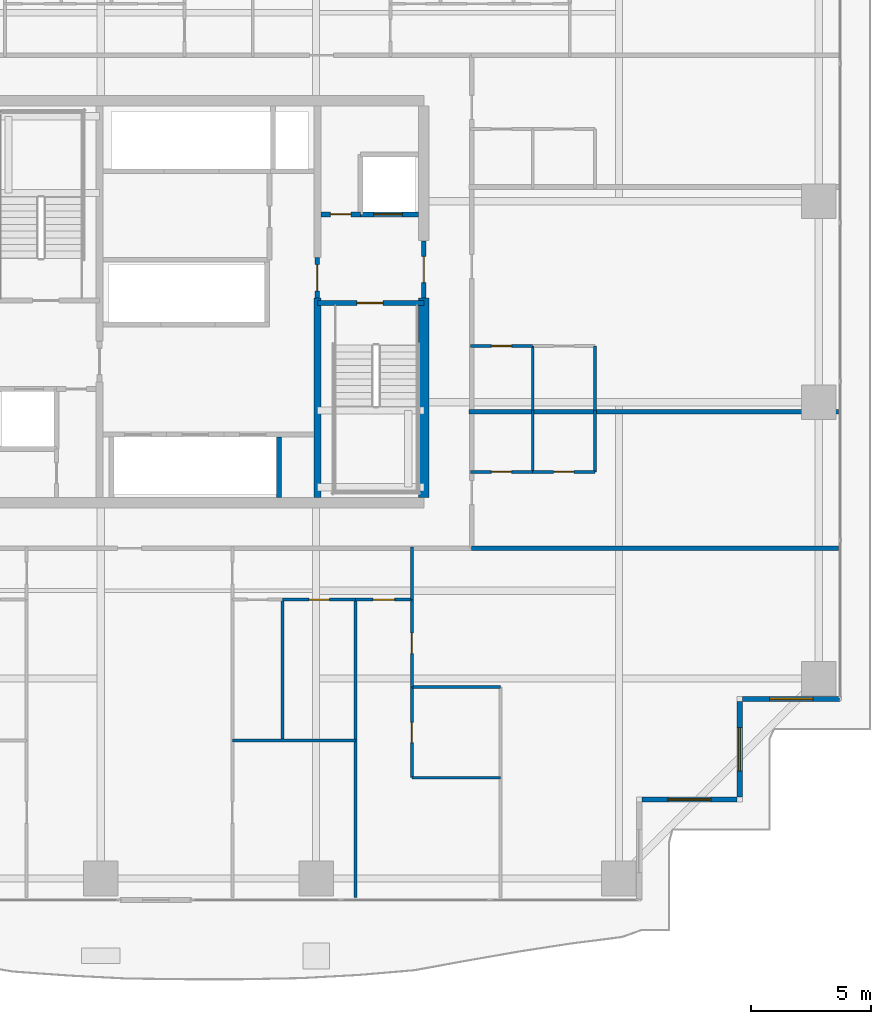
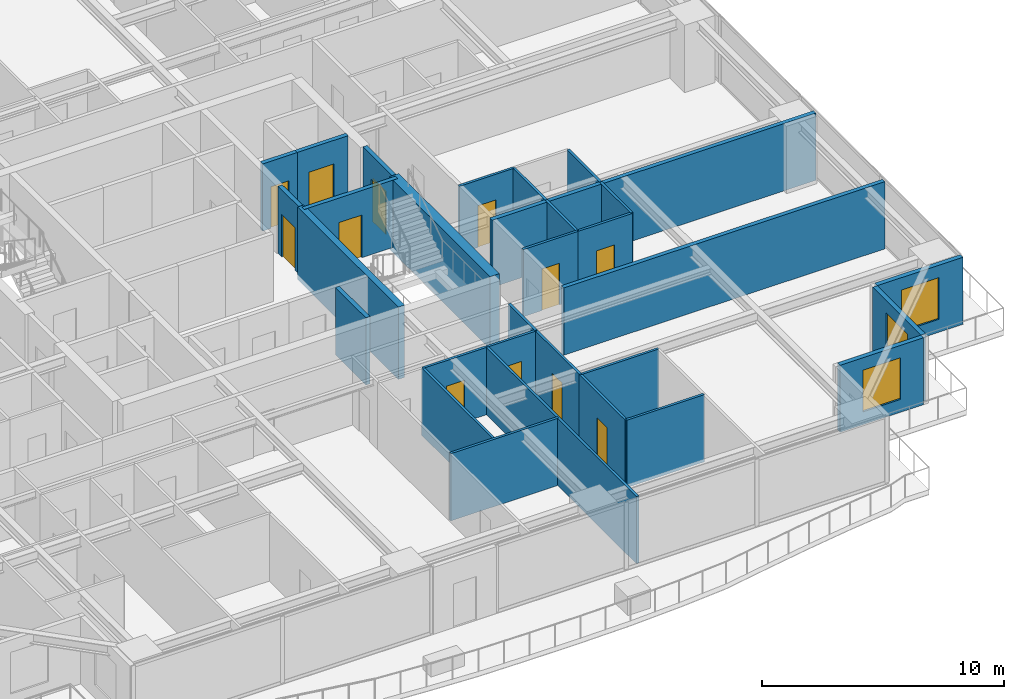
# One storey, part 29 of 40: 30 walls, 12 doors, 3 windows, 15 openings.
"""IFC4 building model written with IfcOpenShell, lengths in metres."""

import ifcopenshell
import ifcopenshell.guid

model = None  # the IFC model being written
_history = None  # IfcOwnerHistory: only IFC2X3 demands one
_inside = {}  # id of a spatial element -> (the spatial element, [elements in it])
_under = {}  # id of a project, library or spatial element -> (it, [spatial elements below it])
_declared = {}  # id of a project -> (the project, [libraries it declares])
_typed = {}  # id of a type object -> (the type object, [elements of that type])
_made_of = {}  # id of a material, layer set ... -> (it, [elements and type objects made of it])


def new_model(schema):
    """Start an empty IFC model of exactly this schema.

    Asked for "IFC4X3", IfcOpenShell would pick the latest addendum, in which some entities
    have other attributes; the version numbers below select the first issue.
    IFC2X3 requires an IfcOwnerHistory on every rooted entity: one is made here for all.
    """
    global model, _history
    if schema == "IFC4X3":
        model = ifcopenshell.file(schema_version=(4, 3, 0, 0))
    else:
        model = ifcopenshell.file(schema=schema)
    _inside.clear()
    _under.clear()
    _declared.clear()
    _typed.clear()
    _made_of.clear()
    _history = None
    if model.schema == "IFC2X3":
        org = make("IfcOrganization", Name="unknown")
        user = make(
            "IfcPersonAndOrganization",
            ThePerson=make("IfcPerson", FamilyName="unknown"),
            TheOrganization=org,
        )
        app = make(
            "IfcApplication",
            ApplicationDeveloper=org,
            Version="unknown",
            ApplicationFullName="unknown",
            ApplicationIdentifier="unknown",
        )
        _history = make(
            "IfcOwnerHistory",
            OwningUser=user,
            OwningApplication=app,
            ChangeAction="ADDED",
            CreationDate=0,
        )
    return model


def make(cls, **values):
    """One entity of the class cls with the attributes given. An attribute that is None is left unset."""
    return model.create_entity(
        cls, **{name: value for name, value in values.items() if value is not None}
    )


def rooted(cls, **values):
    """An entity with a GlobalId (a new one), such as an element, a storey or a relation."""
    return make(cls, GlobalId=ifcopenshell.guid.new(), OwnerHistory=_history, **values)


def si_unit(unit_type, name, prefix=None):
    """IfcSIUnit, for example si_unit("LENGTHUNIT", "METRE", prefix="MILLI")."""
    return make("IfcSIUnit", UnitType=unit_type, Prefix=prefix, Name=name)


def assignment(units):
    """IfcUnitAssignment: the units of a project."""
    return None if units is None else make("IfcUnitAssignment", Units=units)


def point(xyz):
    """IfcCartesianPoint."""
    return None if xyz is None else make("IfcCartesianPoint", Coordinates=xyz)


def direction(xyz):
    """IfcDirection."""
    return None if xyz is None else make("IfcDirection", DirectionRatios=xyz)


def frame(location, z_axis=None, x_axis=None):
    """IfcAxis2Placement3D, a coordinate frame: its origin and axes. An axis left out is left unset."""
    return make(
        "IfcAxis2Placement3D",
        Location=point(location),
        Axis=direction(z_axis),
        RefDirection=direction(x_axis),
    )


def frame_2d(location, x_axis=None):
    """IfcAxis2Placement2D, a coordinate frame in the plane: its origin and x axis."""
    return make(
        "IfcAxis2Placement2D", Location=point(location), RefDirection=direction(x_axis)
    )


def origin():
    """The frame at (0, 0, 0) with its axes left unset."""
    return frame((0.0, 0.0, 0.0))


def place(relative_to, where):
    """IfcLocalPlacement: puts the frame where relative to a parent placement (None: the world)."""
    return make(
        "IfcLocalPlacement", PlacementRelTo=relative_to, RelativePlacement=where
    )


def context(
    kind, dimensions, precision=None, world=None, true_north=None, identifier=None
):
    """IfcGeometricRepresentationContext, for example the 3D "Model" context."""
    return make(
        "IfcGeometricRepresentationContext",
        ContextIdentifier=identifier,
        ContextType=kind,
        CoordinateSpaceDimension=dimensions,
        Precision=precision,
        WorldCoordinateSystem=world,
        TrueNorth=true_north,
    )


def subcontext(parent, identifier, kind, view, scale=None):
    """IfcGeometricRepresentationSubContext, for example "Body" below "Model"."""
    return make(
        "IfcGeometricRepresentationSubContext",
        ContextIdentifier=identifier,
        ContextType=kind,
        ParentContext=parent,
        TargetScale=scale,
        TargetView=view,
    )


def project(units=None, contexts=None):
    """IfcProject with its units and contexts."""
    return rooted(
        "IfcProject",
        Name="project",
        RepresentationContexts=contexts,
        UnitsInContext=assignment(units),
    )


def spatial(cls, under=None, at=None, **own):
    """A site, building, storey or space (cls), placed at a placement, below another one or the project."""
    s = rooted(cls, ObjectPlacement=at, **own)
    if under is not None:
        _under.setdefault(under.id(), (under, []))[1].append(s)
    return s


def profile(cls, at=None, kind="AREA", **sizes):
    """A parametric profile (cls). Its sizes go by their IFC names, for example OverallWidth=200.0."""
    return make(cls, ProfileType=kind, Position=at, **sizes)


def rectangle(**sizes):
    """IfcRectangleProfileDef."""
    return profile("IfcRectangleProfileDef", **sizes)


def extrude(swept, where, along, depth):
    """IfcExtrudedAreaSolid: the profile swept, set in the frame where, extruded along a direction by depth."""
    return make(
        "IfcExtrudedAreaSolid",
        SweptArea=swept,
        Position=where,
        ExtrudedDirection=direction(along),
        Depth=depth,
    )


def shape(context_of_items, identifier, shape_type, items):
    """IfcShapeRepresentation: the items that make up one representation, for example the "Body"."""
    return make(
        "IfcShapeRepresentation",
        ContextOfItems=context_of_items,
        RepresentationIdentifier=identifier,
        RepresentationType=shape_type,
        Items=items,
    )


def source(mapping_origin, context_of_items, identifier, shape_type, items):
    """IfcRepresentationMap: a shape defined once, which mapped items show again and again."""
    return make(
        "IfcRepresentationMap",
        MappingOrigin=mapping_origin,
        MappedRepresentation=shape(context_of_items, identifier, shape_type, items),
    )


def transform(
    local_origin,
    x_axis=None,
    y_axis=None,
    z_axis=None,
    scale=None,
    scale2=None,
    scale3=None,
    uniform=True,
):
    """IfcCartesianTransformationOperator3D, or its non-uniform kind. x_axis, y_axis, z_axis: its Axis1, 2, 3."""
    if uniform:
        return make(
            "IfcCartesianTransformationOperator3D",
            Axis1=direction(x_axis),
            Axis2=direction(y_axis),
            LocalOrigin=point(local_origin),
            Scale=scale,
            Axis3=direction(z_axis),
        )
    return make(
        "IfcCartesianTransformationOperator3DnonUniform",
        Axis1=direction(x_axis),
        Axis2=direction(y_axis),
        LocalOrigin=point(local_origin),
        Scale=scale,
        Axis3=direction(z_axis),
        Scale2=scale2,
        Scale3=scale3,
    )


def mapped(mapping_source, mapping_target):
    """IfcMappedItem: shows the shape of a source again, moved by a transform."""
    return make(
        "IfcMappedItem", MappingSource=mapping_source, MappingTarget=mapping_target
    )


def material(Name=None, Category=None):
    """IfcMaterial."""
    return make("IfcMaterial", Name=Name, Category=Category)


def layer(
    of_material, thickness, ventilated=None, Name=None, Category=None, Priority=None
):
    """IfcMaterialLayer: one layer of a wall or slab, of a material (None: an air gap)."""
    return make(
        "IfcMaterialLayer",
        Material=of_material,
        LayerThickness=thickness,
        IsVentilated=ventilated,
        Name=Name,
        Category=Category,
        Priority=Priority,
    )


def layer_set(layers, Name=None):
    """IfcMaterialLayerSet."""
    return make("IfcMaterialLayerSet", MaterialLayers=layers, LayerSetName=Name)


def made_of(thing, what):
    """Note that an element or type object is made of a material, layer set ...; save() writes the relation."""
    if what is not None:
        _made_of.setdefault(what.id(), (what, []))[1].append(thing)
    return thing


def type_object(cls, material=None, **own):
    """A type object (cls), such as IfcWallType, which elements share."""
    return made_of(rooted(cls, **own), material)


def element(
    cls,
    number,
    at=None,
    inside=None,
    cuts=None,
    type_object=None,
    material=None,
    context=None,
    identifier="Body",
    shape_type=None,
    held_by="IfcProductDefinitionShape",
    body=None,
    shapes=None,
    **own,
):
    """One element of the class cls, such as IfcWall. Its Tag is "e" and its number.

    at: its placement. inside: the storey or other place that contains it. cuts: it is an
    opening in that element (IfcRelVoidsElement). A single representation is given by context,
    identifier, shape_type and body (its items); several are given by shapes. held_by: the class
    of the entity that holds the representations. save() writes the other relations.
    """
    e = rooted(cls, Tag="e%d" % number, ObjectPlacement=at, **own)
    if body is not None:
        shapes = [shape(context, identifier, shape_type, body)]
    if shapes is not None:
        e.Representation = make(held_by, Representations=shapes)
    if inside is not None:
        _inside.setdefault(inside.id(), (inside, []))[1].append(e)
    if cuts is not None:
        rooted(
            "IfcRelVoidsElement", RelatingBuildingElement=cuts, RelatedOpeningElement=e
        )
    if type_object is not None:
        _typed.setdefault(type_object.id(), (type_object, []))[1].append(e)
    return made_of(e, material)


def fill(opening, filler):
    """IfcRelFillsElement: the door or window that sits in an opening."""
    return rooted(
        "IfcRelFillsElement",
        RelatingOpeningElement=opening,
        RelatedBuildingElement=filler,
    )


def aggregate(whole, parts):
    """IfcRelAggregates: a whole, such as a stair, and the parts it consists of."""
    return rooted("IfcRelAggregates", RelatingObject=whole, RelatedObjects=parts)


def save(model, path):
    """Write the relations noted so far, then the file.

    IfcRelAggregates (storeys below a building ...), IfcRelContainedInSpatialStructure (elements
    in a storey), IfcRelDefinesByType, IfcRelAssociatesMaterial and IfcRelDeclares: one each for
    every whole, place, type object, material and project.
    """
    for whole, parts in _under.values():
        aggregate(whole, parts)
    for where, things in _inside.values():
        rooted(
            "IfcRelContainedInSpatialStructure",
            RelatedElements=things,
            RelatingStructure=where,
        )
    for kind, things in _typed.values():
        rooted("IfcRelDefinesByType", RelatedObjects=things, RelatingType=kind)
    for what, things in _made_of.values():
        rooted("IfcRelAssociatesMaterial", RelatedObjects=things, RelatingMaterial=what)
    for by, libraries in _declared.values():
        rooted("IfcRelDeclares", RelatingContext=by, RelatedDefinitions=libraries)
    model.write(path)


model = new_model("IFC4")

# Units and contexts
model_context = context("Model", 3, precision=1e-05, world=origin(), true_north=direction((0.0, 1.0)))
body_context = subcontext(model_context, "Body", "Model", "MODEL_VIEW")
ifc_project = project(units=[si_unit("LENGTHUNIT", "METRE"), si_unit("AREAUNIT", "SQUARE_METRE"), si_unit("VOLUMEUNIT", "CUBIC_METRE"), si_unit("PLANEANGLEUNIT", "RADIAN"), si_unit("MASSUNIT", "GRAM", prefix="KILO")], contexts=[model_context])

# Site, building, storey
site_placement = place(None, origin())
site = spatial("IfcSite", under=ifc_project, at=site_placement, CompositionType="ELEMENT")
building_placement = place(site_placement, origin())
building = spatial("IfcBuilding", under=site, at=building_placement, Name="Serunith Strait Residences", CompositionType="ELEMENT")
storey_placement = place(building_placement, frame((0.0, 0.0, 105.449951171875)))
storey = spatial("IfcBuildingStorey", under=building, at=storey_placement, Name="L26", CompositionType="ELEMENT", Elevation=105.449951171875)

# Wall, opening, window
ifc_material_1 = material(Name="Pale-Champagne Aluminium Insulated Panel", Category="aluminium")
ifc_layer_1 = layer(ifc_material_1, 0.219970703125, Name="Pale-Champagne Aluminium Insulated Panel")
ifc_layer_set_1 = layer_set([ifc_layer_1], Name="Pale-Champagne Aluminium Insulated Panel")
wall_type_1 = type_object("IfcWallType", Name="EW-ALUM-220", PredefinedType="ELEMENTEDWALL", material=ifc_layer_set_1)
wall_1_placement = place(storey_placement, frame((50.510009765625, 4.39990234375, 0.0), z_axis=(0.0, 0.0, 1.0), x_axis=(1.0, 0.0, 0.0)))
wall_1 = element("IfcWall", 1, at=wall_1_placement, inside=storey, type_object=wall_type_1, Name="L26 Girih Serrated Corner Wall 03", PredefinedType="ELEMENTEDWALL", context=body_context, shape_type="SweptSolid", body=[
    extrude(rectangle(XDim=3.97998046875, YDim=0.219970703125, at=frame_2d((1.989990234375, 0.0))), origin(), (0.0, 0.0, 1.0), 3.375),
])
opening_1_placement = place(wall_1_placement, frame((1.090087890625, 0.0, 0.64990234375)))
opening_1 = element("IfcOpeningElement", 2, at=opening_1_placement, cuts=wall_1, Name="Opening W-01", PredefinedType="OPENING", context=body_context, shape_type="SweptSolid", body=[
    extrude(rectangle(XDim=1.800048828125, YDim=2.10009765625, at=frame_2d((0.89990234375, 1.050048828125))), frame((0.0, 0.1201171875, 0.0), z_axis=(0.0, -1.0, 0.0), x_axis=(1.0, 0.0, 0.0)), (0.0, 0.0, 1.0), 0.239990234375),
])
ifc_material_2 = material(Name="Ceramic-Fritted Operable Aluminium Window Glass", Category="aluminium")
window_type = type_object("IfcWindowType", Name="WIN-C1", PartitioningType="DOUBLE_PANEL_VERTICAL", PredefinedType="WINDOW", material=ifc_material_2)
shared_shape_1 = source(origin(), body_context, "Body", "SweptSolid", [
    extrude(rectangle(XDim=1.800048828125, YDim=2.10009765625, at=frame_2d((0.89990234375, 1.050048828125))), frame((0.0, 0.030029296875, 0.0), z_axis=(0.0, -1.0, 0.0), x_axis=(1.0, 0.0, 0.0)), (0.0, 0.0, 1.0), 0.06005859375),
])
window_1_placement = place(opening_1_placement, origin())
window_1 = element("IfcWindow", 3, at=window_1_placement, inside=storey, type_object=window_type, Name="L26 Corner Operable Fritted Window 03", OverallHeight=2.10009765625, OverallWidth=1.800048828125, PartitioningType="SINGLE_PANEL", PredefinedType="WINDOW", context=body_context, shape_type="MappedRepresentation", body=[
    mapped(shared_shape_1, transform((0.0, 0.0, 0.0), scale=1.0)),
])
fill(opening_1, window_1)

wall_2_placement = place(storey_placement, frame((54.60009765625, 4.510009765625, 0.0), z_axis=(0.0, 0.0, 1.0), x_axis=(0.0, 1.0, 0.0)))
wall_2 = element("IfcWall", 4, at=wall_2_placement, inside=storey, type_object=wall_type_1, Name="L26 Girih Serrated Corner Wall 04", PredefinedType="ELEMENTEDWALL", context=body_context, shape_type="SweptSolid", body=[
    extrude(rectangle(XDim=3.97998046875, YDim=0.219970703125, at=frame_2d((1.989990234375, 0.0))), origin(), (0.0, 0.0, 1.0), 3.375),
])
opening_2_placement = place(wall_2_placement, frame((1.090087890625, 0.0, 0.64990234375)))
opening_2 = element("IfcOpeningElement", 5, at=opening_2_placement, cuts=wall_2, Name="Opening W-01", PredefinedType="OPENING", context=body_context, shape_type="SweptSolid", body=[
    extrude(rectangle(XDim=1.800048828125, YDim=2.10009765625, at=frame_2d((0.89990234375, 1.050048828125))), frame((0.0, 0.1201171875, 0.0), z_axis=(0.0, -1.0, 0.0), x_axis=(1.0, 0.0, 0.0)), (0.0, 0.0, 1.0), 0.239990234375),
])
window_2_placement = place(opening_2_placement, origin())
window_2 = element("IfcWindow", 6, at=window_2_placement, inside=storey, type_object=window_type, Name="L26 Corner Operable Fritted Window 04", OverallHeight=2.10009765625, OverallWidth=1.800048828125, PartitioningType="SINGLE_PANEL", PredefinedType="WINDOW", context=body_context, shape_type="MappedRepresentation", body=[
    mapped(shared_shape_1, transform((0.0, 0.0, 0.0), scale=1.0)),
])
fill(opening_2, window_2)

wall_3_placement = place(storey_placement, frame((54.7099609375, 8.60009765625, 0.0), z_axis=(0.0, 0.0, 1.0), x_axis=(1.0, 0.0, 0.0)))
wall_3 = element("IfcWall", 7, at=wall_3_placement, inside=storey, type_object=wall_type_1, Name="L26 Girih Serrated Corner Wall 05", PredefinedType="ELEMENTEDWALL", context=body_context, shape_type="SweptSolid", body=[
    extrude(rectangle(XDim=4.090087890625, YDim=0.219970703125, at=frame_2d((2.044921875, 0.0))), origin(), (0.0, 0.0, 1.0), 3.375),
])
opening_3_placement = place(wall_3_placement, frame((1.14501953125, 0.0, 0.64990234375)))
opening_3 = element("IfcOpeningElement", 8, at=opening_3_placement, cuts=wall_3, Name="Opening W-01", PredefinedType="OPENING", context=body_context, shape_type="SweptSolid", body=[
    extrude(rectangle(XDim=1.800048828125, YDim=2.10009765625, at=frame_2d((0.89990234375, 1.050048828125))), frame((0.0, 0.1201171875, 0.0), z_axis=(0.0, -1.0, 0.0), x_axis=(1.0, 0.0, 0.0)), (0.0, 0.0, 1.0), 0.239990234375),
])
window_3_placement = place(opening_3_placement, origin())
window_3 = element("IfcWindow", 9, at=window_3_placement, inside=storey, type_object=window_type, Name="L26 Corner Operable Fritted Window 05", OverallHeight=2.10009765625, OverallWidth=1.800048828125, PartitioningType="SINGLE_PANEL", PredefinedType="WINDOW", context=body_context, shape_type="MappedRepresentation", body=[
    mapped(shared_shape_1, transform((0.0, 0.0, 0.0), scale=1.0)),
])
fill(opening_3, window_3)

# Walls
ifc_material_3 = material(Name="Lightweight steel-stud gypsum partition", Category="steel")
ifc_layer_2 = layer(ifc_material_3, 0.1201171875, Name="Lightweight steel-stud gypsum partition")
ifc_layer_set_2 = layer_set([ifc_layer_2], Name="Lightweight steel-stud gypsum partition")
wall_type_2 = type_object("IfcWallType", Name="IW-PART-120", PredefinedType="PARTITIONING", material=ifc_layer_set_2)
wall_4_placement = place(storey_placement, frame((33.39990234375, 6.860107421875, 0.0), z_axis=(0.0, 0.0, 1.0), x_axis=(1.0, 0.0, 0.0)))
element("IfcWall", 10, at=wall_4_placement, inside=storey, type_object=wall_type_2, Name="L26 Partition Wall 044", PredefinedType="PARTITIONING", context=body_context, shape_type="SweptSolid", body=[
    extrude(rectangle(XDim=5.150146484375, YDim=0.1201171875, at=frame_2d((2.5751953125, 0.0))), origin(), (0.0, 0.0, 1.0), 3.39013671875),
])
wall_5_placement = place(storey_placement, frame((38.550048828125, 0.294921875, 0.0), z_axis=(0.0, 0.0, 1.0), x_axis=(0.0, 1.0, 0.0)))
element("IfcWall", 11, at=wall_5_placement, inside=storey, type_object=wall_type_2, Name="L26 Partition Wall 045", PredefinedType="PARTITIONING", context=body_context, shape_type="SweptSolid", body=[
    extrude(rectangle(XDim=12.455078125, YDim=0.1201171875, at=frame_2d((6.2275390625, 0.0))), origin(), (0.0, 0.0, 1.0), 3.39013671875),
])
wall_6_placement = place(storey_placement, frame((35.5, 6.860107421875, 0.0), z_axis=(0.0, 0.0, 1.0), x_axis=(0.0, 1.0, 0.0)))
element("IfcWall", 12, at=wall_6_placement, inside=storey, type_object=wall_type_2, Name="L26 Partition Wall 046", PredefinedType="PARTITIONING", context=body_context, shape_type="SweptSolid", body=[
    extrude(rectangle(XDim=5.889892578125, YDim=0.1201171875, at=frame_2d((2.94482421875, 0.0))), origin(), (0.0, 0.0, 1.0), 3.39013671875),
])

# Wall, opening, door
wall_7_placement = place(storey_placement, frame((35.501953125, 12.75, 0.0), z_axis=(0.0, 0.0, 1.0), x_axis=(1.0, 0.0, 0.0)))
wall_7 = element("IfcWall", 13, at=wall_7_placement, inside=storey, type_object=wall_type_2, Name="L26 Partition Wall 048", PredefinedType="PARTITIONING", context=body_context, shape_type="SweptSolid", body=[
    extrude(rectangle(XDim=3.048095703125, YDim=0.1201171875, at=frame_2d((1.52392578125, 0.0))), origin(), (0.0, 0.0, 1.0), 3.39013671875),
])
opening_4_placement = place(wall_7_placement, frame((1.09912109375, 0.0, 0.0)))
opening_4 = element("IfcOpeningElement", 14, at=opening_4_placement, cuts=wall_7, Name="Opening D-RM850", PredefinedType="OPENING", context=body_context, shape_type="SweptSolid", body=[
    extrude(rectangle(XDim=0.85009765625, YDim=2.10009765625, at=frame_2d((0.425048828125, 1.050048828125))), frame((0.0, 0.070068359375, 0.0), z_axis=(0.0, -1.0, 0.0), x_axis=(1.0, 0.0, 0.0)), (0.0, 0.0, 1.0), 0.14013671875),
])
ifc_material_4 = material(Name="Engineered timber flush study and kitchen door", Category="wood")
door_type_1 = type_object("IfcDoorType", Name="ID-ROOM-850", OperationType="NOTDEFINED", PredefinedType="DOOR", material=ifc_material_4)
shared_shape_2 = source(origin(), body_context, "Body", "SweptSolid", [
    extrude(rectangle(XDim=0.85009765625, YDim=2.10009765625, at=frame_2d((0.425048828125, 1.050048828125))), frame((0.0, 0.02490234375, 0.0), z_axis=(0.0, -1.0, 0.0), x_axis=(1.0, 0.0, 0.0)), (0.0, 0.0, 1.0), 0.050048828125),
])
door_1_placement = place(opening_4_placement, origin())
door_1 = element("IfcDoor", 15, at=door_1_placement, inside=storey, type_object=door_type_1, Name="L26 Formal Dining Room 2601 Door", OperationType="SINGLE_SWING_RIGHT", OverallHeight=2.10009765625, OverallWidth=0.85009765625, PredefinedType="DOOR", context=body_context, shape_type="MappedRepresentation", body=[
    mapped(shared_shape_2, transform((0.0, 0.0, 0.0), scale=1.0)),
])
fill(opening_4, door_1)

wall_8_placement = place(storey_placement, frame((38.552001953125, 12.75, 0.0), z_axis=(0.0, 0.0, 1.0), x_axis=(1.0, 0.0, 0.0)))
wall_8 = element("IfcWall", 16, at=wall_8_placement, inside=storey, type_object=wall_type_2, Name="L26 Partition Wall 049", PredefinedType="PARTITIONING", context=body_context, shape_type="SweptSolid", body=[
    extrude(rectangle(XDim=2.347900390625, YDim=0.1201171875, at=frame_2d((1.173828125, 0.0))), origin(), (0.0, 0.0, 1.0), 3.39013671875),
])
opening_5_placement = place(wall_8_placement, frame((0.72412109375, 0.0, 0.0)))
opening_5 = element("IfcOpeningElement", 17, at=opening_5_placement, cuts=wall_8, Name="Opening D-RM900", PredefinedType="OPENING", context=body_context, shape_type="SweptSolid", body=[
    extrude(rectangle(XDim=0.89990234375, YDim=2.10009765625, at=frame_2d((0.449951171875, 1.050048828125))), frame((0.0, 0.070068359375, 0.0), z_axis=(0.0, -1.0, 0.0), x_axis=(1.0, 0.0, 0.0)), (0.0, 0.0, 1.0), 0.14013671875),
])
ifc_material_5 = material(Name="Engineered timber flush bedroom door", Category="wood")
door_type_2 = type_object("IfcDoorType", Name="ID-ROOM-900", OperationType="NOTDEFINED", PredefinedType="DOOR", material=ifc_material_5)
shared_shape_3 = source(origin(), body_context, "Body", "SweptSolid", [
    extrude(rectangle(XDim=0.89990234375, YDim=2.10009765625, at=frame_2d((0.449951171875, 1.050048828125))), frame((0.0, 0.02490234375, 0.0), z_axis=(0.0, -1.0, 0.0), x_axis=(1.0, 0.0, 0.0)), (0.0, 0.0, 1.0), 0.050048828125),
])
door_2_placement = place(opening_5_placement, origin())
door_2 = element("IfcDoor", 18, at=door_2_placement, inside=storey, type_object=door_type_2, Name="L26 Master Bedroom E 2601 Door", OperationType="SINGLE_SWING_LEFT", OverallHeight=2.10009765625, OverallWidth=0.89990234375, PredefinedType="DOOR", context=body_context, shape_type="MappedRepresentation", body=[
    mapped(shared_shape_3, transform((0.0, 0.0, 0.0), scale=1.0)),
])
fill(opening_5, door_2)

# Walls
for number, where, z_axis, x_axis, name in (
    (19, (40.89990234375, 5.30908203125, 0.0), (0.0, 0.0, 1.0), (1.0, 0.0, 0.0), "L26 Partition Wall 050"),
    (20, (40.89990234375, 9.093017578125, 0.0), (0.0, 0.0, 1.0), (1.0, 0.0, 0.0), "L26 Partition Wall 052"),
):
    element("IfcWall", number, at=place(storey_placement, frame(where, z_axis=z_axis, x_axis=x_axis)), inside=storey, type_object=wall_type_2, Name=name, PredefinedType="PARTITIONING", context=body_context, shape_type="SweptSolid", body=[
        extrude(rectangle(XDim=3.7001953125, YDim=0.1201171875, at=frame_2d((1.85009765625, 0.0))), origin(), (0.0, 0.0, 1.0), 3.39013671875),
    ])

# Wall, opening, door
wall_9_placement = place(storey_placement, frame((40.89990234375, 5.30908203125, 0.0), z_axis=(0.0, 0.0, 1.0), x_axis=(0.0, 1.0, 0.0)))
wall_9 = element("IfcWall", 21, at=wall_9_placement, inside=storey, type_object=wall_type_2, Name="L26 Partition Wall 053", PredefinedType="PARTITIONING", context=body_context, shape_type="SweptSolid", body=[
    extrude(rectangle(XDim=3.783935546875, YDim=0.1201171875, at=frame_2d((1.89208984375, 0.0))), origin(), (0.0, 0.0, 1.0), 3.39013671875),
])
opening_6_placement = place(wall_9_placement, frame((1.467041015625, 0.0, 0.0)))
opening_6 = element("IfcOpeningElement", 22, at=opening_6_placement, cuts=wall_9, Name="Opening D-BTH850", PredefinedType="OPENING", context=body_context, shape_type="SweptSolid", body=[
    extrude(rectangle(XDim=0.85009765625, YDim=2.10009765625, at=frame_2d((0.425048828125, 1.050048828125))), frame((0.0, 0.070068359375, 0.0), z_axis=(0.0, -1.0, 0.0), x_axis=(1.0, 0.0, 0.0)), (0.0, 0.0, 1.0), 0.14013671875),
])
ifc_material_6 = material(Name="Moisture-resistant timber bathroom door", Category="wood")
door_type_3 = type_object("IfcDoorType", Name="ID-BATH-850", OperationType="NOTDEFINED", PredefinedType="DOOR", material=ifc_material_6)
door_3_placement = place(opening_6_placement, origin())
door_3 = element("IfcDoor", 23, at=door_3_placement, inside=storey, type_object=door_type_3, Name="L26 En-suite Bathroom E 2601 Door", OperationType="SINGLE_SWING_RIGHT", OverallHeight=2.10009765625, OverallWidth=0.85009765625, PredefinedType="DOOR", context=body_context, shape_type="MappedRepresentation", body=[
    mapped(shared_shape_2, transform((0.0, 0.0, 0.0), scale=1.0)),
])
fill(opening_6, door_3)

wall_10_placement = place(storey_placement, frame((40.89990234375, 9.094970703125, 0.0), z_axis=(0.0, 0.0, 1.0), x_axis=(0.0, 1.0, 0.0)))
wall_10 = element("IfcWall", 24, at=wall_10_placement, inside=storey, type_object=wall_type_2, Name="L26 Partition Wall 054", PredefinedType="PARTITIONING", context=body_context, shape_type="SweptSolid", body=[
    extrude(rectangle(XDim=3.655029296875, YDim=0.1201171875, at=frame_2d((1.82763671875, 0.0))), origin(), (0.0, 0.0, 1.0), 3.39013671875),
])
opening_7_placement = place(wall_10_placement, frame((1.402099609375, 0.0, 0.0)))
opening_7 = element("IfcOpeningElement", 25, at=opening_7_placement, cuts=wall_10, Name="Opening D-RM850", PredefinedType="OPENING", context=body_context, shape_type="SweptSolid", body=[
    extrude(rectangle(XDim=0.85009765625, YDim=2.10009765625, at=frame_2d((0.425048828125, 1.050048828125))), frame((0.0, 0.070068359375, 0.0), z_axis=(0.0, -1.0, 0.0), x_axis=(1.0, 0.0, 0.0)), (0.0, 0.0, 1.0), 0.14013671875),
])
door_4_placement = place(opening_7_placement, origin())
door_4 = element("IfcDoor", 26, at=door_4_placement, inside=storey, type_object=door_type_1, Name="L26 Wardrobe E 2601 Door", OperationType="SINGLE_SWING_LEFT", OverallHeight=2.10009765625, OverallWidth=0.85009765625, PredefinedType="DOOR", context=body_context, shape_type="MappedRepresentation", body=[
    mapped(shared_shape_2, transform((0.0, 0.0, 0.0), scale=1.0)),
])
fill(opening_7, door_4)

# Wall
wall_11_placement = place(storey_placement, frame((40.89990234375, 12.751953125, 0.0), z_axis=(0.0, 0.0, 1.0), x_axis=(0.0, 1.0, 0.0)))
element("IfcWall", 27, at=wall_11_placement, inside=storey, type_object=wall_type_2, Name="L26 Partition Wall 055", PredefinedType="PARTITIONING", context=body_context, shape_type="SweptSolid", body=[
    extrude(rectangle(XDim=2.2080078125, YDim=0.1201171875, at=frame_2d((1.10400390625, 0.0))), origin(), (0.0, 0.0, 1.0), 3.39013671875),
])

# Wall, opening, door
wall_12_placement = place(storey_placement, frame((48.550048828125, 18.090087890625, 0.0), z_axis=(0.0, 0.0, 1.0), x_axis=(-1.0, 0.0, 0.0)))
wall_12 = element("IfcWall", 28, at=wall_12_placement, inside=storey, type_object=wall_type_2, Name="L26 Partition Wall 100", PredefinedType="PARTITIONING", context=body_context, shape_type="SweptSolid", body=[
    extrude(rectangle(XDim=2.60009765625, YDim=0.1201171875, at=frame_2d((1.300048828125, 0.0))), origin(), (0.0, 0.0, 1.0), 3.39013671875),
])
opening_8_placement = place(wall_12_placement, frame((0.875, 0.0, 0.0)))
opening_8 = element("IfcOpeningElement", 29, at=opening_8_placement, cuts=wall_12, Name="Opening D-RM850", PredefinedType="OPENING", context=body_context, shape_type="SweptSolid", body=[
    extrude(rectangle(XDim=0.85009765625, YDim=2.10009765625, at=frame_2d((0.425048828125, 1.050048828125))), frame((0.0, 0.070068359375, 0.0), z_axis=(0.0, -1.0, 0.0), x_axis=(1.0, 0.0, 0.0)), (0.0, 0.0, 1.0), 0.14013671875),
])
door_5_placement = place(opening_8_placement, origin())
door_5 = element("IfcDoor", 30, at=door_5_placement, inside=storey, type_object=door_type_1, Name="L26 Kitchen 2606 Door", OperationType="SINGLE_SWING_LEFT", OverallHeight=2.10009765625, OverallWidth=0.85009765625, PredefinedType="DOOR", context=body_context, shape_type="MappedRepresentation", body=[
    mapped(shared_shape_2, transform((0.0, 0.0, 0.0), scale=1.0)),
])
fill(opening_8, door_5)

wall_13_placement = place(storey_placement, frame((45.947998046875, 18.090087890625, 0.0), z_axis=(0.0, 0.0, 1.0), x_axis=(-1.0, 0.0, 0.0)))
wall_13 = element("IfcWall", 31, at=wall_13_placement, inside=storey, type_object=wall_type_2, Name="L26 Partition Wall 101", PredefinedType="PARTITIONING", context=body_context, shape_type="SweptSolid", body=[
    extrude(rectangle(XDim=2.60791015625, YDim=0.1201171875, at=frame_2d((1.303955078125, 0.0))), origin(), (0.0, 0.0, 1.0), 3.39013671875),
])
opening_9_placement = place(wall_13_placement, frame((0.87890625, 0.0, 0.0)))
opening_9 = element("IfcOpeningElement", 32, at=opening_9_placement, cuts=wall_13, Name="Opening D-BTH850", PredefinedType="OPENING", context=body_context, shape_type="SweptSolid", body=[
    extrude(rectangle(XDim=0.85009765625, YDim=2.10009765625, at=frame_2d((0.425048828125, 1.050048828125))), frame((0.0, 0.070068359375, 0.0), z_axis=(0.0, -1.0, 0.0), x_axis=(1.0, 0.0, 0.0)), (0.0, 0.0, 1.0), 0.14013671875),
])
door_6_placement = place(opening_9_placement, origin())
door_6 = element("IfcDoor", 33, at=door_6_placement, inside=storey, type_object=door_type_3, Name="L26 Bathroom 2606 Door", OperationType="SINGLE_SWING_RIGHT", OverallHeight=2.10009765625, OverallWidth=0.85009765625, PredefinedType="DOOR", context=body_context, shape_type="MappedRepresentation", body=[
    mapped(shared_shape_2, transform((0.0, 0.0, 0.0), scale=1.0)),
])
fill(opening_9, door_6)

# Walls
for number, where, z_axis, x_axis, name in (
    (34, (45.949951171875, 18.090087890625, 0.0), (0.0, 0.0, 1.0), (0.0, 1.0, 0.0), "L26 Partition Wall 102"),
    (35, (48.550048828125, 18.090087890625, 0.0), (0.0, 0.0, 1.0), (0.0, 1.0, 0.0), "L26 Partition Wall 103"),
):
    element("IfcWall", number, at=place(storey_placement, frame(where, z_axis=z_axis, x_axis=x_axis)), inside=storey, type_object=wall_type_2, Name=name, PredefinedType="PARTITIONING", context=body_context, shape_type="SweptSolid", body=[
        extrude(rectangle(XDim=2.56982421875, YDim=0.1201171875, at=frame_2d((1.284912109375, 0.0))), origin(), (0.0, 0.0, 1.0), 3.39013671875),
    ])

# Wall, opening, door
wall_14_placement = place(storey_placement, frame((45.947998046875, 23.35009765625, 0.0), z_axis=(0.0, 0.0, 1.0), x_axis=(-1.0, 0.0, 0.0)))
wall_14 = element("IfcWall", 36, at=wall_14_placement, inside=storey, type_object=wall_type_2, Name="L26 Partition Wall 105", PredefinedType="PARTITIONING", context=body_context, shape_type="SweptSolid", body=[
    extrude(rectangle(XDim=2.60791015625, YDim=0.1201171875, at=frame_2d((1.303955078125, 0.0))), origin(), (0.0, 0.0, 1.0), 3.39013671875),
])
opening_10_placement = place(wall_14_placement, frame((0.87890625, 0.0, 0.0)))
opening_10 = element("IfcOpeningElement", 37, at=opening_10_placement, cuts=wall_14, Name="Opening D-BTH850", PredefinedType="OPENING", context=body_context, shape_type="SweptSolid", body=[
    extrude(rectangle(XDim=0.85009765625, YDim=2.10009765625, at=frame_2d((0.425048828125, 1.050048828125))), frame((0.0, 0.070068359375, 0.0), z_axis=(0.0, -1.0, 0.0), x_axis=(1.0, 0.0, 0.0)), (0.0, 0.0, 1.0), 0.14013671875),
])
door_7_placement = place(opening_10_placement, origin())
door_7 = element("IfcDoor", 38, at=door_7_placement, inside=storey, type_object=door_type_3, Name="L26 Bathroom 2607 Door", OperationType="SINGLE_SWING_RIGHT", OverallHeight=2.10009765625, OverallWidth=0.85009765625, PredefinedType="DOOR", context=body_context, shape_type="MappedRepresentation", body=[
    mapped(shared_shape_2, transform((0.0, 0.0, 0.0), scale=1.0)),
])
fill(opening_10, door_7)

# Walls
for number, where, z_axis, x_axis, name in (
    (39, (45.949951171875, 20.662109375, 0.0), (0.0, 0.0, 1.0), (0.0, 1.0, 0.0), "L26 Partition Wall 106"),
    (40, (48.550048828125, 20.662109375, 0.0), (0.0, 0.0, 1.0), (0.0, 1.0, 0.0), "L26 Partition Wall 107"),
):
    element("IfcWall", number, at=place(storey_placement, frame(where, z_axis=z_axis, x_axis=x_axis)), inside=storey, type_object=wall_type_2, Name=name, PredefinedType="PARTITIONING", context=body_context, shape_type="SweptSolid", body=[
        extrude(rectangle(XDim=2.68798828125, YDim=0.1201171875, at=frame_2d((1.343994140625, 0.0))), origin(), (0.0, 0.0, 1.0), 3.39013671875),
    ])
ifc_material_7 = material(Name="Twin-stud acoustic gypsum board partition")
ifc_layer_3 = layer(ifc_material_7, 0.199951171875, Name="Twin-stud acoustic gypsum board partition")
ifc_layer_set_3 = layer_set([ifc_layer_3], Name="Twin-stud acoustic gypsum board partition")
wall_type_3 = type_object("IfcWallType", Name="IW-PARTY-200", PredefinedType="PARTITIONING", material=ifc_layer_set_3)
wall_15_placement = place(storey_placement, frame((43.280029296875, 20.60009765625, 0.0), z_axis=(0.0, 0.0, 1.0), x_axis=(1.0, 0.0, 0.0)))
element("IfcWall", 41, at=wall_15_placement, inside=storey, type_object=wall_type_3, Name="L26 Partition Wall 016", PredefinedType="PARTITIONING", context=body_context, shape_type="SweptSolid", body=[
    extrude(rectangle(XDim=15.43798828125, YDim=0.199951171875, at=frame_2d((7.718994140625, 0.0))), origin(), (0.0, 0.0, 1.0), 3.39013671875),
])
wall_16_placement = place(storey_placement, frame((43.39990234375, 14.89990234375, 0.0), z_axis=(0.0, 0.0, 1.0), x_axis=(1.0, 0.0, 0.0)))
element("IfcWall", 42, at=wall_16_placement, inside=storey, type_object=wall_type_3, Name="L26 Partition Wall 019", PredefinedType="PARTITIONING", context=body_context, shape_type="SweptSolid", body=[
    extrude(rectangle(XDim=15.318115234375, YDim=0.199951171875, at=frame_2d((7.6591796875, 0.0))), origin(), (0.0, 0.0, 1.0), 3.39013671875),
])

# Wall, opening, door
ifc_material_8 = material(Name="Autoclaved aerated concrete blockwork", Category="masonry")
ifc_layer_4 = layer(ifc_material_8, 0.199951171875, Name="Autoclaved aerated concrete blockwork")
ifc_layer_set_4 = layer_set([ifc_layer_4], Name="Autoclaved aerated concrete blockwork")
wall_type_4 = type_object("IfcWallType", Name="IW-SHAFT-200", PredefinedType="STANDARD", material=ifc_layer_set_4)
wall_17_placement = place(storey_placement, frame((36.949951171875, 25.14990234375, 0.0), z_axis=(0.0, 0.0, 1.0), x_axis=(1.0, 0.0, 0.0)))
wall_17 = element("IfcWall", 43, at=wall_17_placement, inside=storey, type_object=wall_type_4, Name="L26 ST-2 North Shaft Wall", PredefinedType="STANDARD", context=body_context, shape_type="SweptSolid", body=[
    extrude(rectangle(XDim=4.449951171875, YDim=0.199951171875, at=frame_2d((2.22509765625, 0.0))), origin(), (0.0, 0.0, 1.0), 3.39013671875),
])
opening_11_placement = place(wall_17_placement, frame((1.64990234375, 0.0, 0.0)))
opening_11 = element("IfcOpeningElement", 44, at=opening_11_placement, cuts=wall_17, Name="Opening FD-1100", PredefinedType="OPENING", context=body_context, shape_type="SweptSolid", body=[
    extrude(rectangle(XDim=1.10009765625, YDim=2.14990234375, at=frame_2d((0.550048828125, 1.074951171875))), frame((0.0, 0.10986328125, 0.0), z_axis=(0.0, -1.0, 0.0), x_axis=(1.0, 0.0, 0.0)), (0.0, 0.0, 1.0), 0.219970703125),
])
ifc_material_9 = material(Name="Galvanised steel fire door leaf", Category="steel")
door_type_4 = type_object("IfcDoorType", Name="FD-STAIR-1100", OperationType="NOTDEFINED", PredefinedType="DOOR", material=ifc_material_9)
shared_shape_4 = source(origin(), body_context, "Body", "SweptSolid", [
    extrude(rectangle(XDim=1.10009765625, YDim=2.14990234375, at=frame_2d((0.550048828125, 1.074951171875))), frame((0.0, 0.02490234375, 0.0), z_axis=(0.0, -1.0, 0.0), x_axis=(1.0, 0.0, 0.0)), (0.0, 0.0, 1.0), 0.050048828125),
])
door_8_placement = place(opening_11_placement, origin())
door_8 = element("IfcDoor", 45, at=door_8_placement, inside=storey, type_object=door_type_4, Name="L26 ST-2 Escape Stair Door", OperationType="SINGLE_SWING_LEFT", OverallHeight=2.14990234375, OverallWidth=1.10009765625, PredefinedType="DOOR", context=body_context, shape_type="MappedRepresentation", body=[
    mapped(shared_shape_4, transform((0.0, 0.0, 0.0), scale=1.0)),
])
fill(opening_11, door_8)

wall_18_placement = place(storey_placement, frame((38.75, 28.85009765625, 0.0), z_axis=(0.0, 0.0, 1.0), x_axis=(1.0, 0.0, 0.0)))
wall_18 = element("IfcWall", 46, at=wall_18_placement, inside=storey, type_object=wall_type_4, Name="L26 FL-2 South Shaft Wall", PredefinedType="STANDARD", context=body_context, shape_type="SweptSolid", body=[
    extrude(rectangle(XDim=2.425048828125, YDim=0.199951171875, at=frame_2d((1.21240234375, 0.0))), origin(), (0.0, 0.0, 1.0), 3.39013671875),
])
opening_12_placement = place(wall_18_placement, frame((0.550048828125, 0.0, 0.0)))
opening_12 = element("IfcOpeningElement", 47, at=opening_12_placement, cuts=wall_18, Name="Opening LD-FF1200", PredefinedType="OPENING", context=body_context, shape_type="SweptSolid", body=[
    extrude(rectangle(XDim=1.199951171875, YDim=2.199951171875, at=frame_2d((0.60009765625, 1.10009765625))), frame((0.0, 0.10986328125, 0.0), z_axis=(0.0, -1.0, 0.0), x_axis=(1.0, 0.0, 0.0)), (0.0, 0.0, 1.0), 0.219970703125),
])
ifc_material_10 = material(Name="Brushed stainless steel landing door", Category="steel")
door_type_5 = type_object("IfcDoorType", Name="LD-FF-1200", OperationType="DOUBLE_DOOR_SLIDING", PredefinedType="DOOR", material=ifc_material_10)
shared_shape_5 = source(origin(), body_context, "Body", "SweptSolid", [
    extrude(rectangle(XDim=1.199951171875, YDim=2.199951171875, at=frame_2d((0.60009765625, 1.10009765625))), frame((0.0, 0.02490234375, 0.0), z_axis=(0.0, -1.0, 0.0), x_axis=(1.0, 0.0, 0.0)), (0.0, 0.0, 1.0), 0.050048828125),
])
door_9_placement = place(opening_12_placement, origin())
door_9 = element("IfcDoor", 48, at=door_9_placement, inside=storey, type_object=door_type_5, Name="L26 FL-2 Landing Door", OperationType="DOUBLE_DOOR_SLIDING", OverallHeight=2.199951171875, OverallWidth=1.199951171875, PredefinedType="DOOR", context=body_context, shape_type="MappedRepresentation", body=[
    mapped(shared_shape_5, transform((0.0, 0.0, 0.0), scale=1.0)),
])
fill(opening_12, door_9)

# Wall
wall_19_placement = place(storey_placement, frame((35.35009765625, 17.02490234375, 0.0), z_axis=(0.0, 0.0, 1.0), x_axis=(0.0, 1.0, 0.0)))
element("IfcWall", 49, at=wall_19_placement, inside=storey, type_object=wall_type_4, Name="L26 PL-3 East Shaft Wall", PredefinedType="STANDARD", context=body_context, shape_type="SweptSolid", body=[
    extrude(rectangle(XDim=2.525146484375, YDim=0.199951171875, at=frame_2d((1.2626953125, 0.0))), origin(), (0.0, 0.0, 1.0), 3.39013671875),
])

# Wall, opening, door
wall_20_placement = place(storey_placement, frame((37.10009765625, 28.85009765625, 0.0), z_axis=(0.0, 0.0, 1.0), x_axis=(1.0, 0.0, 0.0)))
wall_20 = element("IfcWall", 50, at=wall_20_placement, inside=storey, type_object=wall_type_4, Name="L26 Partition Wall 006", PredefinedType="STANDARD", context=body_context, shape_type="SweptSolid", body=[
    extrude(rectangle(XDim=1.64794921875, YDim=0.199951171875, at=frame_2d((0.823974609375, 0.0))), origin(), (0.0, 0.0, 1.0), 3.39013671875),
])
opening_13_placement = place(wall_20_placement, frame((0.39892578125, 0.0, 0.0)))
opening_13 = element("IfcOpeningElement", 51, at=opening_13_placement, cuts=wall_20, Name="Opening FD-850", PredefinedType="OPENING", context=body_context, shape_type="SweptSolid", body=[
    extrude(rectangle(XDim=0.85009765625, YDim=2.10009765625, at=frame_2d((0.425048828125, 1.050048828125))), frame((0.0, 0.10986328125, 0.0), z_axis=(0.0, -1.0, 0.0), x_axis=(1.0, 0.0, 0.0)), (0.0, 0.0, 1.0), 0.219970703125),
])
ifc_material_11 = material(Name="Powder-coated steel service closet door", Category="steel")
door_type_6 = type_object("IfcDoorType", Name="FD-BOH-850", OperationType="NOTDEFINED", PredefinedType="DOOR", material=ifc_material_11)
door_10_placement = place(opening_13_placement, origin())
door_10 = element("IfcDoor", 52, at=door_10_placement, inside=storey, type_object=door_type_6, Name="L26 North-East Core Service Door", OperationType="SINGLE_SWING_LEFT", OverallHeight=2.10009765625, OverallWidth=0.85009765625, PredefinedType="DOOR", context=body_context, shape_type="MappedRepresentation", body=[
    mapped(shared_shape_2, transform((0.0, 0.0, 0.0), scale=1.0)),
])
fill(opening_13, door_10)

wall_21_placement = place(storey_placement, frame((41.39990234375, 25.35205078125, 0.0), z_axis=(0.0, 0.0, 1.0), x_axis=(0.0, 1.0, 0.0)))
wall_21 = element("IfcWall", 53, at=wall_21_placement, inside=storey, type_object=wall_type_4, Name="L26 Partition Wall 008", PredefinedType="STANDARD", context=body_context, shape_type="SweptSolid", body=[
    extrude(rectangle(XDim=2.39599609375, YDim=0.199951171875, at=frame_2d((1.197998046875, 0.0))), origin(), (0.0, 0.0, 1.0), 3.39013671875),
])
opening_14_placement = place(wall_21_placement, frame((0.64794921875, 0.0, 0.0)))
opening_14 = element("IfcOpeningElement", 54, at=opening_14_placement, cuts=wall_21, Name="Opening FD-FFL", PredefinedType="OPENING", context=body_context, shape_type="SweptSolid", body=[
    extrude(rectangle(XDim=1.10009765625, YDim=2.14990234375, at=frame_2d((0.550048828125, 1.074951171875))), frame((0.0, 0.10986328125, 0.0), z_axis=(0.0, -1.0, 0.0), x_axis=(1.0, 0.0, 0.0)), (0.0, 0.0, 1.0), 0.219970703125),
])
ifc_material_12 = material(Name="Glazed steel smoke-lobby fire door", Category="steel")
door_type_7 = type_object("IfcDoorType", Name="FD-FFL-1100", OperationType="NOTDEFINED", PredefinedType="DOOR", material=ifc_material_12)
door_11_placement = place(opening_14_placement, origin())
door_11 = element("IfcDoor", 55, at=door_11_placement, inside=storey, type_object=door_type_7, Name="L26 FFL-2 Corridor Fire Door", OperationType="SINGLE_SWING_LEFT", OverallHeight=2.14990234375, OverallWidth=1.10009765625, PredefinedType="DOOR", context=body_context, shape_type="MappedRepresentation", body=[
    mapped(shared_shape_4, transform((0.0, 0.0, 0.0), scale=1.0)),
])
fill(opening_14, door_11)

wall_22_placement = place(storey_placement, frame((36.949951171875, 25.35205078125, 0.0), z_axis=(0.0, 0.0, 1.0), x_axis=(0.0, 1.0, 0.0)))
wall_22 = element("IfcWall", 56, at=wall_22_placement, inside=storey, type_object=wall_type_4, Name="L26 Partition Wall 010", PredefinedType="STANDARD", context=body_context, shape_type="SweptSolid", body=[
    extrude(rectangle(XDim=1.696044921875, YDim=0.199951171875, at=frame_2d((0.84814453125, 0.0))), origin(), (0.0, 0.0, 1.0), 3.39013671875),
])
opening_15_placement = place(wall_22_placement, frame((0.298095703125, 0.0, 0.0)))
opening_15 = element("IfcOpeningElement", 57, at=opening_15_placement, cuts=wall_22, Name="Opening FD-FFL", PredefinedType="OPENING", context=body_context, shape_type="SweptSolid", body=[
    extrude(rectangle(XDim=1.10009765625, YDim=2.14990234375, at=frame_2d((0.550048828125, 1.074951171875))), frame((0.0, 0.10986328125, 0.0), z_axis=(0.0, -1.0, 0.0), x_axis=(1.0, 0.0, 0.0)), (0.0, 0.0, 1.0), 0.219970703125),
])
door_12_placement = place(opening_15_placement, origin())
door_12 = element("IfcDoor", 58, at=door_12_placement, inside=storey, type_object=door_type_7, Name="L26 FFL-2 Lift Lobby Door", OperationType="SINGLE_SWING_LEFT", OverallHeight=2.14990234375, OverallWidth=1.10009765625, PredefinedType="DOOR", context=body_context, shape_type="MappedRepresentation", body=[
    mapped(shared_shape_4, transform((0.0, 0.0, 0.0), scale=1.0)),
])
fill(opening_15, door_12)

# Walls
ifc_material_13 = material(Name="Concrete C80/95", Category="concrete")
ifc_layer_5 = layer(ifc_material_13, 0.300048828125, Name="Concrete C80/95")
ifc_layer_set_5 = layer_set([ifc_layer_5], Name="Concrete C80/95")
wall_type_5 = type_object("IfcWallType", Name="SW-300-C80", PredefinedType="SHEAR", material=ifc_layer_set_5)
wall_23_placement = place(storey_placement, frame((36.949951171875, 17.02490234375, -0.260009765625), z_axis=(0.0, 0.0, 1.0), x_axis=(0.0, 1.0, 0.0)))
element("IfcWall", 59, at=wall_23_placement, inside=storey, type_object=wall_type_5, Name="L26 Core Internal East Web South Pier", PredefinedType="SHEAR", context=body_context, shape_type="SweptSolid", body=[
    extrude(rectangle(XDim=8.3251953125, YDim=0.300048828125, at=frame_2d((4.16259765625, 0.0))), origin(), (0.0, 0.0, 1.0), 3.64794921875),
])
ifc_layer_6 = layer(ifc_material_13, 0.449951171875, Name="Concrete C80/95")
ifc_layer_set_6 = layer_set([ifc_layer_6], Name="Concrete C80/95")
wall_type_6 = type_object("IfcWallType", Name="SW-450-C80", PredefinedType="SHEAR", material=ifc_layer_set_6)
wall_24_placement = place(storey_placement, frame((41.39990234375, 17.02490234375, -0.260009765625), z_axis=(0.0, 0.0, 1.0), x_axis=(0.0, 1.0, 0.0)))
element("IfcWall", 60, at=wall_24_placement, inside=storey, type_object=wall_type_6, Name="L26 Core East Shear Wall South Pier", PredefinedType="SHEAR", context=body_context, shape_type="SweptSolid", body=[
    extrude(rectangle(XDim=8.3251953125, YDim=0.449951171875, at=frame_2d((4.16259765625, 0.0))), origin(), (0.0, 0.0, 1.0), 3.64794921875),
])

save(model, "model.ifc")
